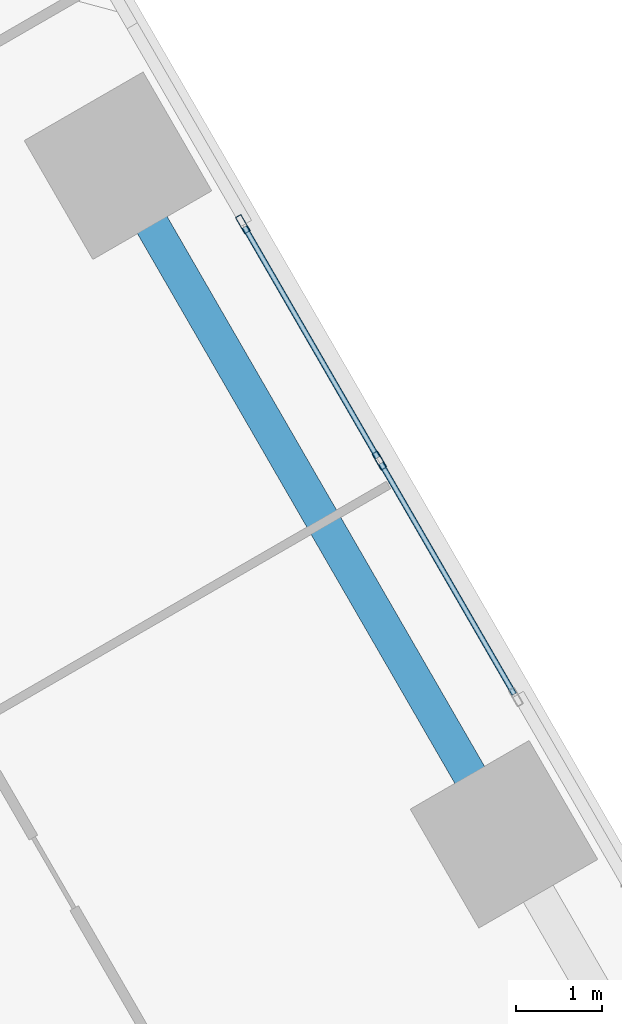
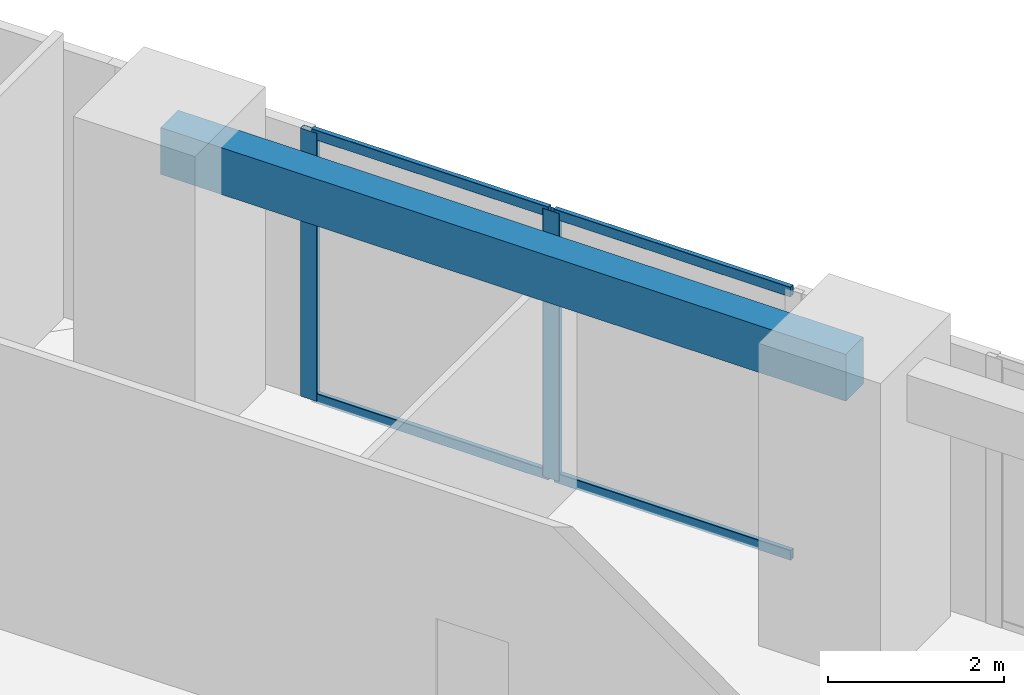
# One storey, part 10 of 16: 6 members, 1 beam, 1 element without a shape of its own.
"""IFC4 building model written with IfcOpenShell, lengths in metres."""

from ifc_helpers import new_model, si_unit, direction, frame, origin, origin_2d, place, context, subcontext, project, spatial, rectangle, hollow_rectangle, extrude, source, transform, mapped, material, material_profile, profile_set, type_object, element, aggregate, save


model = new_model("IFC4")

# Units and contexts
model_context = context("Model", 3, precision=1e-05, world=origin(), true_north=direction((0.0, 1.0)))
body_context = subcontext(model_context, "Body", "Model", "MODEL_VIEW")
ifc_project = project(units=[si_unit("LENGTHUNIT", "METRE"), si_unit("AREAUNIT", "SQUARE_METRE"), si_unit("VOLUMEUNIT", "CUBIC_METRE"), si_unit("PLANEANGLEUNIT", "RADIAN"), si_unit("MASSUNIT", "GRAM", prefix="KILO")], contexts=[model_context])

# Site, building, storey
site_placement = place(None, origin())
site = spatial("IfcSite", under=ifc_project, at=site_placement, CompositionType="ELEMENT")
building_placement = place(site_placement, origin())
building = spatial("IfcBuilding", under=site, at=building_placement, Name="Torre Montelarca", CompositionType="ELEMENT")
storey_placement = place(building_placement, frame((0.0, 0.0, 319.800048828125)))
storey = spatial("IfcBuildingStorey", under=building, at=storey_placement, Name="L72", CompositionType="ELEMENT", Elevation=319.800048828125)

# Beam
ifc_material_1 = material(Name="Concrete C40/50", Category="concrete")
ifc_material_profile_1 = material_profile(ifc_material_1, rectangle(XDim=0.39990234375, YDim=0.64990234375, at=origin_2d()), Name="RCB400X650", Category="concrete")
ifc_profile_set_1 = profile_set([ifc_material_profile_1], Name="Concrete C40/50")
beam_type = type_object("IfcBeamType", Name="BM-SP-RC650-EXT", PredefinedType="SPANDREL", material=ifc_profile_set_1)
shared_shape_1 = source(origin(), body_context, "Body", "SweptSolid", [
    extrude(rectangle(XDim=0.39990234375, YDim=0.64990234375, at=origin_2d()), origin(), (0.0, 0.0, 1.0), 9.0),
])
beam_placement = place(storey_placement, frame((28.370361328125, 50.400390625, 3.635009765625), z_axis=(0.5000018851, -0.866024315419, 0.0), x_axis=(0.866024315419, 0.5000018851, 0.0)))
element("IfcBeam", 1, at=beam_placement, inside=storey, type_object=beam_type, Name="L72 Grid Girder X 9.0-18.0 at Y=47.1", PredefinedType="SPANDREL", context=body_context, shape_type="MappedRepresentation", body=[
    mapped(shared_shape_1, transform((0.0, 0.0, 0.0), scale=1.0)),
])

# Curtain wall, members
ifc_material_2 = material(Name="Insulated low-E laminated glass", Category="glass")
curtain_wall_type = type_object("IfcCurtainWallType", Name="CW-SYS-Z4", PredefinedType="USERDEFINED", material=ifc_material_2)
curtain_wall_placement = place(storey_placement, origin())
curtain_wall = element("IfcCurtainWall", 2, at=curtain_wall_placement, inside=storey, type_object=curtain_wall_type, Name="L72 Curtain Wall Run CW-T3-L72-E08-B3", ObjectType="UNITISED GLAZING", PredefinedType="USERDEFINED")
ifc_material_3 = material(Name="Anodised aluminium AA 6063-T6", Category="aluminium")
ifc_material_profile_2 = material_profile(ifc_material_3, hollow_rectangle(XDim=0.074951171875, YDim=0.219970703125, WallThickness=0.0048828125, InnerFilletRadius=0.0048828125, OuterFilletRadius=0.010009765625, at=origin_2d()), Name="ALU75X220X5", Category="aluminium")
ifc_profile_set_2 = profile_set([ifc_material_profile_2], Name="Anodised aluminium AA 6063-T6")
member_type_1 = type_object("IfcMemberType", Name="CWM-ALU220", PredefinedType="MULLION", material=ifc_profile_set_2)
shared_shape_2 = source(origin(), body_context, "Body", "SweptSolid", [
    extrude(hollow_rectangle(XDim=0.074951171875, YDim=0.219970703125, WallThickness=0.0048828125, InnerFilletRadius=0.0048828125, OuterFilletRadius=0.010009765625, at=origin_2d()), origin(), (0.0, 0.0, 1.0), 3.719970703125),
])
member_1_placement = place(storey_placement, frame((31.4169921875, 46.963134765625, 0.0), z_axis=(0.0, 0.0, 1.0), x_axis=(-0.866025264018, -0.500000242082, 0.0)))
member_1 = element("IfcMember", 3, at=member_1_placement, type_object=member_type_1, Name="CW mullion 2", PredefinedType="MULLION", context=body_context, shape_type="MappedRepresentation", body=[
    mapped(shared_shape_2, transform((0.0, 0.0, 0.0), scale=1.0)),
])
member_2_placement = place(storey_placement, frame((29.82568359375, 49.71923828125, 0.0), z_axis=(0.0, 0.0, 1.0), x_axis=(-0.866025264018, -0.500000242082, 0.0)))
member_2 = element("IfcMember", 4, at=member_2_placement, type_object=member_type_1, Name="CW mullion 3", PredefinedType="MULLION", context=body_context, shape_type="MappedRepresentation", body=[
    mapped(shared_shape_2, transform((0.0, 0.0, 0.0), scale=1.0)),
])
ifc_material_profile_3 = material_profile(ifc_material_3, hollow_rectangle(XDim=0.06494140625, YDim=0.139892578125, WallThickness=0.00390625, InnerFilletRadius=0.00390625, OuterFilletRadius=0.008056640625, at=origin_2d()), Name="ALU65X140X4", Category="aluminium")
ifc_profile_set_3 = profile_set([ifc_material_profile_3], Name="Anodised aluminium AA 6063-T6")
member_type_2 = type_object("IfcMemberType", Name="CWT-ALU140", PredefinedType="USERDEFINED", material=ifc_profile_set_3)
shared_shape_3 = source(origin(), body_context, "Body", "SweptSolid", [
    extrude(hollow_rectangle(XDim=0.06494140625, YDim=0.139892578125, WallThickness=0.00390625, InnerFilletRadius=0.00390625, OuterFilletRadius=0.008056640625, at=origin_2d()), origin(), (0.0, 0.0, 1.0), 3.107421875),
])
member_3_placement = place(storey_placement, frame((32.989501953125, 44.239501953125, 0.032470703125), z_axis=(-0.499992220956, 0.866029894971, 0.0), x_axis=(-0.866029894971, -0.499992220956, 0.0)))
member_3 = element("IfcMember", 5, at=member_3_placement, type_object=member_type_2, Name="CW transom 1.1", ObjectType="TRANSOM", PredefinedType="USERDEFINED", context=body_context, shape_type="MappedRepresentation", body=[
    mapped(shared_shape_3, transform((0.0, 0.0, 0.0), scale=1.0)),
])
member_4_placement = place(storey_placement, frame((32.989501953125, 44.239501953125, 3.6875), z_axis=(-0.499992220956, 0.866029894971, 0.0), x_axis=(-0.866029894971, -0.499992220956, 0.0)))
member_4 = element("IfcMember", 6, at=member_4_placement, type_object=member_type_2, Name="CW transom 1.2", ObjectType="TRANSOM", PredefinedType="USERDEFINED", context=body_context, shape_type="MappedRepresentation", body=[
    mapped(shared_shape_3, transform((0.0, 0.0, 0.0), scale=1.0)),
])
member_5_placement = place(storey_placement, frame((31.398193359375, 46.99560546875, 0.032470703125), z_axis=(-0.499992220956, 0.866029894971, 0.0), x_axis=(-0.866029894971, -0.499992220956, 0.0)))
member_5 = element("IfcMember", 7, at=member_5_placement, type_object=member_type_2, Name="CW transom 2.1", ObjectType="TRANSOM", PredefinedType="USERDEFINED", context=body_context, shape_type="MappedRepresentation", body=[
    mapped(shared_shape_3, transform((0.0, 0.0, 0.0), scale=1.0)),
])
member_6_placement = place(storey_placement, frame((31.398193359375, 46.99560546875, 3.6875), z_axis=(-0.499992220956, 0.866029894971, 0.0), x_axis=(-0.866029894971, -0.499992220956, 0.0)))
member_6 = element("IfcMember", 8, at=member_6_placement, type_object=member_type_2, Name="CW transom 2.2", ObjectType="TRANSOM", PredefinedType="USERDEFINED", context=body_context, shape_type="MappedRepresentation", body=[
    mapped(shared_shape_3, transform((0.0, 0.0, 0.0), scale=1.0)),
])
aggregate(curtain_wall, [member_1, member_2, member_3, member_4, member_5, member_6])

save(model, "model.ifc")
